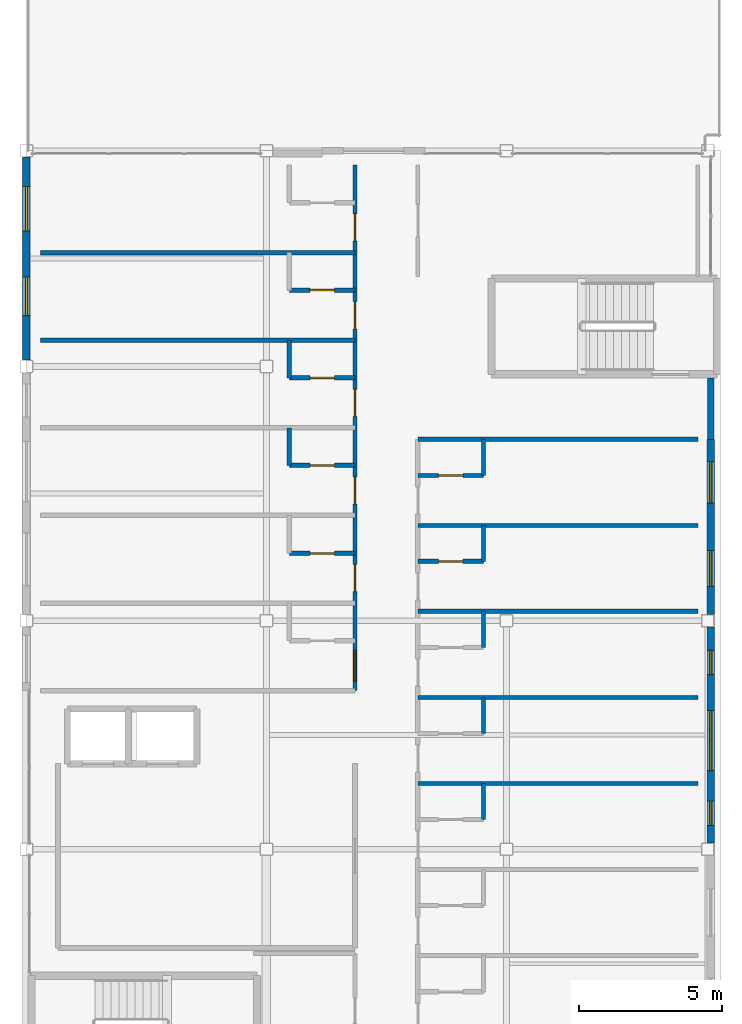
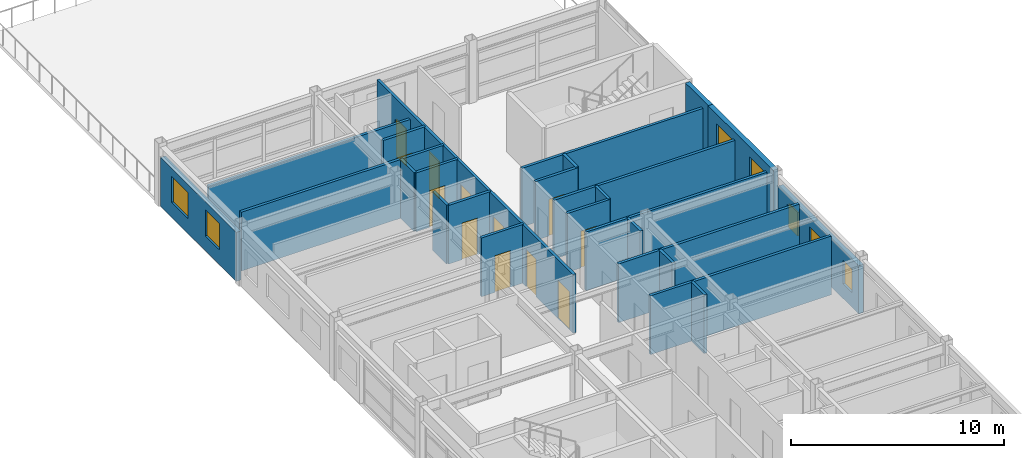
# One storey, part 24 of 28: 25 walls, 12 doors, 7 windows, 19 openings.
"""IFC4 building model written with IfcOpenShell, lengths in metres."""

from ifc_helpers import new_model, si_unit, direction, frame, frame_2d, origin, place, context, subcontext, project, spatial, rectangle, extrude, material, layer, layer_set, type_object, element, fill, save


model = new_model("IFC4")

# Units and contexts
model_context = context("Model", 3, precision=1e-05, world=origin(), true_north=direction((0.0, 1.0)))
body_context = subcontext(model_context, "Body", "Model", "MODEL_VIEW")
ifc_project = project(units=[si_unit("LENGTHUNIT", "METRE"), si_unit("AREAUNIT", "SQUARE_METRE"), si_unit("VOLUMEUNIT", "CUBIC_METRE"), si_unit("PLANEANGLEUNIT", "RADIAN"), si_unit("MASSUNIT", "GRAM", prefix="KILO")], contexts=[model_context])

# Site, building, storey
site_placement = place(None, origin())
site = spatial("IfcSite", under=ifc_project, at=site_placement, CompositionType="ELEMENT")
building_placement = place(site_placement, origin())
building = spatial("IfcBuilding", under=site, at=building_placement, Name="Kazehara Bluff Congress Hotel", CompositionType="ELEMENT")
storey_placement = place(building_placement, frame((0.0, 0.0, 42.60009765625)))
storey = spatial("IfcBuildingStorey", under=building, at=storey_placement, Name="L10", CompositionType="ELEMENT", Elevation=42.60009765625)

# Wall
ifc_material_1 = material(Name="Precast concrete C40/50", Category="concrete")
ifc_layer_1 = layer(ifc_material_1, 0.239990234375)
ifc_layer_set_1 = layer_set([ifc_layer_1], Name="Precast concrete C40/50")
wall_type_1 = type_object("IfcWallType", Name="TP-EW-240", PredefinedType="SOLIDWALL", material=ifc_layer_set_1)
wall_1_placement = place(storey_placement, frame((167.64990234375, 72.93994140625, 0.0), z_axis=(0.0, 0.0, 1.0), x_axis=(0.0, -1.0, 0.0)))
element("IfcWall", 1, at=wall_1_placement, inside=storey, type_object=wall_type_1, Name="L10 V5 perimeter spandrel pier 757", PredefinedType="SOLIDWALL", context=body_context, shape_type="SweptSolid", body=[
    extrude(rectangle(XDim=2.139892578125, YDim=0.239990234375, at=frame_2d((1.06982421875, 0.0))), origin(), (0.0, 0.0, 1.0), 3.364990234375),
])

# Wall, openings, windows
ifc_material_2 = material(Name="Precast concrete C40/50", Category="concrete")
ifc_layer_2 = layer(ifc_material_2, 0.260009765625)
ifc_layer_set_2 = layer_set([ifc_layer_2], Name="Precast concrete C40/50")
wall_type_2 = type_object("IfcWallType", Name="TP-EW-260", PredefinedType="SOLIDWALL", material=ifc_layer_set_2)
wall_2_placement = place(storey_placement, frame((167.64990234375, 64.22509765625, 0.0), z_axis=(0.0, 0.0, 1.0), x_axis=(0.0, -1.0, 0.0)))
wall_2 = element("IfcWall", 2, at=wall_2_placement, inside=storey, type_object=wall_type_2, Name="L10 hotel facade panel 155", PredefinedType="SOLIDWALL", context=body_context, shape_type="SweptSolid", body=[
    extrude(rectangle(XDim=7.550048828125, YDim=0.260009765625, at=frame_2d((3.77490234375, 0.0))), origin(), (0.0, 0.0, 1.0), 2.7548828125),
])
opening_1_placement = place(wall_2_placement, frame((6.0849609375, 0.0, 0.85009765625)))
opening_1 = element("IfcOpeningElement", 3, at=opening_1_placement, cuts=wall_2, Name="Opening WN-55", PredefinedType="OPENING", context=body_context, shape_type="SweptSolid", body=[
    extrude(rectangle(XDim=0.85009765625, YDim=1.35009765625, at=frame_2d((0.425048828125, 0.675048828125))), frame((0.0, 0.139892578125, 0.0), z_axis=(0.0, -1.0, 0.0), x_axis=(1.0, 0.0, 0.0)), (0.0, 0.0, 1.0), 0.280029296875),
])
opening_2_placement = place(wall_2_placement, frame((2.919921875, 0.0, 0.85009765625)))
opening_2 = element("IfcOpeningElement", 4, at=opening_2_placement, cuts=wall_2, Name="Opening WN-46", PredefinedType="OPENING", context=body_context, shape_type="SweptSolid", body=[
    extrude(rectangle(XDim=2.10009765625, YDim=1.35009765625, at=frame_2d((1.050048828125, 0.675048828125))), frame((0.0, 0.139892578125, 0.0), z_axis=(0.0, -1.0, 0.0), x_axis=(1.0, 0.0, 0.0)), (0.0, 0.0, 1.0), 0.280029296875),
])
opening_3_placement = place(wall_2_placement, frame((0.81005859375, 0.0, 0.85009765625)))
opening_3 = element("IfcOpeningElement", 5, at=opening_3_placement, cuts=wall_2, Name="Opening WN-55", PredefinedType="OPENING", context=body_context, shape_type="SweptSolid", body=[
    extrude(rectangle(XDim=0.85009765625, YDim=1.35009765625, at=frame_2d((0.425048828125, 0.675048828125))), frame((0.0, 0.139892578125, 0.0), z_axis=(0.0, -1.0, 0.0), x_axis=(1.0, 0.0, 0.0)), (0.0, 0.0, 1.0), 0.280029296875),
])
ifc_material_3 = material(Name="Insulated low-E double glazing", Category="glass")
window_type_1 = type_object("IfcWindowType", Name="TP-WN-46", PartitioningType="DOUBLE_PANEL_VERTICAL", PredefinedType="WINDOW", material=ifc_material_3)
window_1_placement = place(opening_2_placement, origin())
window_1 = element("IfcWindow", 6, at=window_1_placement, inside=storey, type_object=window_type_1, Name="L10 guestroom window WN-46 307", OverallHeight=1.35009765625, OverallWidth=2.10009765625, PartitioningType="SINGLE_PANEL", PredefinedType="WINDOW", context=body_context, shape_type="SweptSolid", body=[
    extrude(rectangle(XDim=2.10009765625, YDim=1.35009765625, at=frame_2d((1.050048828125, 0.675048828125))), frame((0.0, 0.030029296875, 0.0), z_axis=(0.0, -1.0, 0.0), x_axis=(1.0, 0.0, 0.0)), (0.0, 0.0, 1.0), 0.06005859375),
])
fill(opening_2, window_1)
ifc_material_4 = material(Name="Insulated low-E double glazing", Category="glass")
window_type_2 = type_object("IfcWindowType", Name="TP-WN-55", PartitioningType="SINGLE_PANEL", PredefinedType="WINDOW", material=ifc_material_4)
window_2_placement = place(opening_1_placement, origin())
window_2 = element("IfcWindow", 7, at=window_2_placement, inside=storey, type_object=window_type_2, Name="L10 guestroom window WN-55 306", OverallHeight=1.35009765625, OverallWidth=0.85009765625, PartitioningType="SINGLE_PANEL", PredefinedType="WINDOW", context=body_context, shape_type="SweptSolid", body=[
    extrude(rectangle(XDim=0.85009765625, YDim=1.35009765625, at=frame_2d((0.425048828125, 0.675048828125))), frame((0.0, 0.030029296875, 0.0), z_axis=(0.0, -1.0, 0.0), x_axis=(1.0, 0.0, 0.0)), (0.0, 0.0, 1.0), 0.06005859375),
])
fill(opening_1, window_2)
window_3_placement = place(opening_3_placement, origin())
window_3 = element("IfcWindow", 8, at=window_3_placement, inside=storey, type_object=window_type_2, Name="L10 guestroom window WN-55 308", OverallHeight=1.35009765625, OverallWidth=0.85009765625, PartitioningType="SINGLE_PANEL", PredefinedType="WINDOW", context=body_context, shape_type="SweptSolid", body=[
    extrude(rectangle(XDim=0.85009765625, YDim=1.35009765625, at=frame_2d((0.425048828125, 0.675048828125))), frame((0.0, 0.030029296875, 0.0), z_axis=(0.0, -1.0, 0.0), x_axis=(1.0, 0.0, 0.0)), (0.0, 0.0, 1.0), 0.06005859375),
])
fill(opening_3, window_3)

wall_3_placement = place(storey_placement, frame((167.64990234375, 70.800048828125, 0.0), z_axis=(0.0, 0.0, 1.0), x_axis=(0.0, -1.0, 0.0)))
wall_3 = element("IfcWall", 9, at=wall_3_placement, inside=storey, type_object=wall_type_2, Name="L10 hotel facade panel 156", PredefinedType="SOLIDWALL", context=body_context, shape_type="SweptSolid", body=[
    extrude(rectangle(XDim=6.125, YDim=0.260009765625, at=frame_2d((3.0625, 0.0))), origin(), (0.0, 0.0, 1.0), 3.364990234375),
])
opening_4_placement = place(wall_3_placement, frame((3.89501953125, 0.0, 0.85009765625)))
opening_4 = element("IfcOpeningElement", 10, at=opening_4_placement, cuts=wall_3, Name="Opening WN-10", PredefinedType="OPENING", context=body_context, shape_type="SweptSolid", body=[
    extrude(rectangle(XDim=1.25, YDim=1.949951171875, at=frame_2d((0.625, 0.97509765625))), frame((0.0, 0.139892578125, 0.0), z_axis=(0.0, -1.0, 0.0), x_axis=(1.0, 0.0, 0.0)), (0.0, 0.0, 1.0), 0.280029296875),
])
opening_5_placement = place(wall_3_placement, frame((0.784912109375, 0.0, 0.85009765625)))
opening_5 = element("IfcOpeningElement", 11, at=opening_5_placement, cuts=wall_3, Name="Opening WN-20", PredefinedType="OPENING", context=body_context, shape_type="SweptSolid", body=[
    extrude(rectangle(XDim=1.449951171875, YDim=1.949951171875, at=frame_2d((0.72509765625, 0.97509765625))), frame((0.0, 0.139892578125, 0.0), z_axis=(0.0, -1.0, 0.0), x_axis=(1.0, 0.0, 0.0)), (0.0, 0.0, 1.0), 0.280029296875),
])
ifc_material_5 = material(Name="Insulated low-E double glazing", Category="glass")
window_type_3 = type_object("IfcWindowType", Name="TP-WN-10", PartitioningType="SINGLE_PANEL", PredefinedType="WINDOW", material=ifc_material_5)
window_4_placement = place(opening_4_placement, origin())
window_4 = element("IfcWindow", 12, at=window_4_placement, inside=storey, type_object=window_type_3, Name="L10 guestroom window WN-10 309", OverallHeight=1.949951171875, OverallWidth=1.25, PartitioningType="SINGLE_PANEL", PredefinedType="WINDOW", context=body_context, shape_type="SweptSolid", body=[
    extrude(rectangle(XDim=1.25, YDim=1.949951171875, at=frame_2d((0.625, 0.97509765625))), frame((0.0, 0.030029296875, 0.0), z_axis=(0.0, -1.0, 0.0), x_axis=(1.0, 0.0, 0.0)), (0.0, 0.0, 1.0), 0.06005859375),
])
fill(opening_4, window_4)
ifc_material_6 = material(Name="Insulated low-E double glazing", Category="glass")
window_type_4 = type_object("IfcWindowType", Name="TP-WN-20", PartitioningType="SINGLE_PANEL", PredefinedType="WINDOW", material=ifc_material_6)
window_5_placement = place(opening_5_placement, origin())
window_5 = element("IfcWindow", 13, at=window_5_placement, inside=storey, type_object=window_type_4, Name="L10 guestroom window WN-20 310", OverallHeight=1.949951171875, OverallWidth=1.449951171875, PartitioningType="SINGLE_PANEL", PredefinedType="WINDOW", context=body_context, shape_type="SweptSolid", body=[
    extrude(rectangle(XDim=1.449951171875, YDim=1.949951171875, at=frame_2d((0.72509765625, 0.97509765625))), frame((0.0, 0.030029296875, 0.0), z_axis=(0.0, -1.0, 0.0), x_axis=(1.0, 0.0, 0.0)), (0.0, 0.0, 1.0), 0.06005859375),
])
fill(opening_5, window_5)

wall_4_placement = place(storey_placement, frame((143.699951171875, 73.574951171875, 0.0), z_axis=(0.0, 0.0, 1.0), x_axis=(0.0, 1.0, 0.0)))
wall_4 = element("IfcWall", 14, at=wall_4_placement, inside=storey, type_object=wall_type_2, Name="L10 hotel facade panel 161", PredefinedType="SOLIDWALL", context=body_context, shape_type="SweptSolid", body=[
    extrude(rectangle(XDim=7.10009765625, YDim=0.260009765625, at=frame_2d((3.550048828125, 0.0))), origin(), (0.0, 0.0, 1.0), 2.804931640625),
])
opening_6_placement = place(wall_4_placement, frame((1.550048828125, 0.0, 0.85009765625)))
opening_6 = element("IfcOpeningElement", 15, at=opening_6_placement, cuts=wall_4, Name="Opening WN-12", PredefinedType="OPENING", context=body_context, shape_type="SweptSolid", body=[
    extrude(rectangle(XDim=1.35009765625, YDim=1.5, at=frame_2d((0.675048828125, 0.75))), frame((0.0, 0.139892578125, 0.0), z_axis=(0.0, -1.0, 0.0), x_axis=(1.0, 0.0, 0.0)), (0.0, 0.0, 1.0), 0.280029296875),
])
opening_7_placement = place(wall_4_placement, frame((4.52001953125, 0.0, 0.85009765625)))
opening_7 = element("IfcOpeningElement", 16, at=opening_7_placement, cuts=wall_4, Name="Opening WN-22", PredefinedType="OPENING", context=body_context, shape_type="SweptSolid", body=[
    extrude(rectangle(XDim=1.550048828125, YDim=1.5, at=frame_2d((0.77490234375, 0.75))), frame((0.0, 0.139892578125, 0.0), z_axis=(0.0, -1.0, 0.0), x_axis=(1.0, 0.0, 0.0)), (0.0, 0.0, 1.0), 0.280029296875),
])
ifc_material_7 = material(Name="Insulated low-E double glazing", Category="glass")
window_type_5 = type_object("IfcWindowType", Name="TP-WN-12", PartitioningType="SINGLE_PANEL", PredefinedType="WINDOW", material=ifc_material_7)
window_6_placement = place(opening_6_placement, origin())
window_6 = element("IfcWindow", 17, at=window_6_placement, inside=storey, type_object=window_type_5, Name="L10 guestroom window WN-12 319", OverallHeight=1.5, OverallWidth=1.35009765625, PartitioningType="SINGLE_PANEL", PredefinedType="WINDOW", context=body_context, shape_type="SweptSolid", body=[
    extrude(rectangle(XDim=1.35009765625, YDim=1.5, at=frame_2d((0.675048828125, 0.75))), frame((0.0, 0.030029296875, 0.0), z_axis=(0.0, -1.0, 0.0), x_axis=(1.0, 0.0, 0.0)), (0.0, 0.0, 1.0), 0.06005859375),
])
fill(opening_6, window_6)
ifc_material_8 = material(Name="Insulated low-E double glazing", Category="glass")
window_type_6 = type_object("IfcWindowType", Name="TP-WN-22", PartitioningType="SINGLE_PANEL", PredefinedType="WINDOW", material=ifc_material_8)
window_7_placement = place(opening_7_placement, origin())
window_7 = element("IfcWindow", 18, at=window_7_placement, inside=storey, type_object=window_type_6, Name="L10 guestroom window WN-22 320", OverallHeight=1.5, OverallWidth=1.550048828125, PartitioningType="SINGLE_PANEL", PredefinedType="WINDOW", context=body_context, shape_type="SweptSolid", body=[
    extrude(rectangle(XDim=1.550048828125, YDim=1.5, at=frame_2d((0.77490234375, 0.75))), frame((0.0, 0.030029296875, 0.0), z_axis=(0.0, -1.0, 0.0), x_axis=(1.0, 0.0, 0.0)), (0.0, 0.0, 1.0), 0.06005859375),
])
fill(opening_7, window_7)

# Walls
ifc_material_9 = material(Name="Fire-rated gypsum board stud partition")
ifc_layer_3 = layer(ifc_material_9, 0.14990234375)
ifc_layer_set_3 = layer_set([ifc_layer_3], Name="Fire-rated gypsum board stud partition")
wall_type_3 = type_object("IfcWallType", Name="TP-PT-150", PredefinedType="PARTITIONING", material=ifc_layer_set_3)
for number, where, z_axis, x_axis, name in (
    (19, (157.39990234375, 58.75, 0.0), (0.0, 0.0, 1.0), (1.0, 0.0, 0.0), "L10 partition PT-150 1357"),
    (20, (157.39990234375, 61.760009765625, 0.0), (0.0, 0.0, 1.0), (1.0, 0.0, 0.0), "L10 partition PT-150 1359"),
    (21, (157.39990234375, 64.780029296875, 0.0), (0.0, 0.0, 1.0), (1.0, 0.0, 0.0), "L10 partition PT-150 1363"),
):
    element("IfcWall", number, at=place(storey_placement, frame(where, z_axis=z_axis, x_axis=x_axis)), inside=storey, type_object=wall_type_3, Name=name, PredefinedType="PARTITIONING", context=body_context, shape_type="SweptSolid", body=[
        extrude(rectangle(XDim=9.800048828125, YDim=0.14990234375, at=frame_2d((4.89990234375, 0.0))), origin(), (0.0, 0.0, 1.0), 3.364990234375),
    ])

# Wall, opening, door
wall_5_placement = place(storey_placement, frame((157.39990234375, 66.530029296875, 0.0), z_axis=(0.0, 0.0, 1.0), x_axis=(1.0, 0.0, 0.0)))
wall_5 = element("IfcWall", 22, at=wall_5_placement, inside=storey, type_object=wall_type_3, Name="L10 partition PT-150 1365", PredefinedType="PARTITIONING", context=body_context, shape_type="SweptSolid", body=[
    extrude(rectangle(XDim=2.300048828125, YDim=0.14990234375, at=frame_2d((1.14990234375, 0.0))), origin(), (0.0, 0.0, 1.0), 3.364990234375),
])
opening_8_placement = place(wall_5_placement, frame((0.72509765625, 0.0, 0.0)))
opening_8 = element("IfcOpeningElement", 23, at=opening_8_placement, cuts=wall_5, Name="Opening BD-01", PredefinedType="OPENING", context=body_context, shape_type="SweptSolid", body=[
    extrude(rectangle(XDim=0.85009765625, YDim=2.10009765625, at=frame_2d((0.425048828125, 1.050048828125))), frame((0.0, 0.0849609375, 0.0), z_axis=(0.0, -1.0, 0.0), x_axis=(1.0, 0.0, 0.0)), (0.0, 0.0, 1.0), 0.169921875),
])
ifc_material_10 = material(Name="Architectural oak veneer leaf")
door_type_1 = type_object("IfcDoorType", Name="TP-BD-01", OperationType="NOTDEFINED", PredefinedType="DOOR", material=ifc_material_10)
door_1_placement = place(opening_8_placement, origin())
door_1 = element("IfcDoor", 24, at=door_1_placement, inside=storey, type_object=door_type_1, Name="L10 En-suite Bathroom 319 door", OperationType="SINGLE_SWING_RIGHT", OverallHeight=2.10009765625, OverallWidth=0.85009765625, PredefinedType="DOOR", context=body_context, shape_type="SweptSolid", body=[
    extrude(rectangle(XDim=0.85009765625, YDim=2.10009765625, at=frame_2d((0.425048828125, 1.050048828125))), frame((0.0, 0.02490234375, 0.0), z_axis=(0.0, -1.0, 0.0), x_axis=(1.0, 0.0, 0.0)), (0.0, 0.0, 1.0), 0.050048828125),
])
fill(opening_8, door_1)

wall_6_placement = place(storey_placement, frame((152.89990234375, 66.81005859375, 0.0), z_axis=(0.0, 0.0, 1.0), x_axis=(1.0, 0.0, 0.0)))
wall_6 = element("IfcWall", 25, at=wall_6_placement, inside=storey, type_object=wall_type_3, Name="L10 partition PT-150 1366", PredefinedType="PARTITIONING", context=body_context, shape_type="SweptSolid", body=[
    extrude(rectangle(XDim=2.300048828125, YDim=0.14990234375, at=frame_2d((1.14990234375, 0.0))), origin(), (0.0, 0.0, 1.0), 3.364990234375),
])
opening_9_placement = place(wall_6_placement, frame((0.72509765625, 0.0, 0.0)))
opening_9 = element("IfcOpeningElement", 26, at=opening_9_placement, cuts=wall_6, Name="Opening BD-01", PredefinedType="OPENING", context=body_context, shape_type="SweptSolid", body=[
    extrude(rectangle(XDim=0.85009765625, YDim=2.10009765625, at=frame_2d((0.425048828125, 1.050048828125))), frame((0.0, 0.0849609375, 0.0), z_axis=(0.0, -1.0, 0.0), x_axis=(1.0, 0.0, 0.0)), (0.0, 0.0, 1.0), 0.169921875),
])
door_2_placement = place(opening_9_placement, origin())
door_2 = element("IfcDoor", 27, at=door_2_placement, inside=storey, type_object=door_type_1, Name="L10 En-suite Bathroom 300 door", OperationType="SINGLE_SWING_RIGHT", OverallHeight=2.10009765625, OverallWidth=0.85009765625, PredefinedType="DOOR", context=body_context, shape_type="SweptSolid", body=[
    extrude(rectangle(XDim=0.85009765625, YDim=2.10009765625, at=frame_2d((0.425048828125, 1.050048828125))), frame((0.0, 0.02490234375, 0.0), z_axis=(0.0, -1.0, 0.0), x_axis=(1.0, 0.0, 0.0)), (0.0, 0.0, 1.0), 0.050048828125),
])
fill(opening_9, door_2)

# Wall
wall_7_placement = place(storey_placement, frame((157.39990234375, 67.780029296875, 0.0), z_axis=(0.0, 0.0, 1.0), x_axis=(1.0, 0.0, 0.0)))
element("IfcWall", 28, at=wall_7_placement, inside=storey, type_object=wall_type_3, Name="L10 partition PT-150 1367", PredefinedType="PARTITIONING", context=body_context, shape_type="SweptSolid", body=[
    extrude(rectangle(XDim=9.800048828125, YDim=0.14990234375, at=frame_2d((4.89990234375, 0.0))), origin(), (0.0, 0.0, 1.0), 3.364990234375),
])

# Wall, opening, door
wall_8_placement = place(storey_placement, frame((157.39990234375, 69.530029296875, 0.0), z_axis=(0.0, 0.0, 1.0), x_axis=(1.0, 0.0, 0.0)))
wall_8 = element("IfcWall", 29, at=wall_8_placement, inside=storey, type_object=wall_type_3, Name="L10 partition PT-150 1369", PredefinedType="PARTITIONING", context=body_context, shape_type="SweptSolid", body=[
    extrude(rectangle(XDim=2.300048828125, YDim=0.14990234375, at=frame_2d((1.14990234375, 0.0))), origin(), (0.0, 0.0, 1.0), 3.364990234375),
])
opening_10_placement = place(wall_8_placement, frame((0.72509765625, 0.0, 0.0)))
opening_10 = element("IfcOpeningElement", 30, at=opening_10_placement, cuts=wall_8, Name="Opening BD-01", PredefinedType="OPENING", context=body_context, shape_type="SweptSolid", body=[
    extrude(rectangle(XDim=0.85009765625, YDim=2.10009765625, at=frame_2d((0.425048828125, 1.050048828125))), frame((0.0, 0.0849609375, 0.0), z_axis=(0.0, -1.0, 0.0), x_axis=(1.0, 0.0, 0.0)), (0.0, 0.0, 1.0), 0.169921875),
])
door_3_placement = place(opening_10_placement, origin())
door_3 = element("IfcDoor", 31, at=door_3_placement, inside=storey, type_object=door_type_1, Name="L10 En-suite Bathroom 320 door", OperationType="SINGLE_SWING_RIGHT", OverallHeight=2.10009765625, OverallWidth=0.85009765625, PredefinedType="DOOR", context=body_context, shape_type="SweptSolid", body=[
    extrude(rectangle(XDim=0.85009765625, YDim=2.10009765625, at=frame_2d((0.425048828125, 1.050048828125))), frame((0.0, 0.02490234375, 0.0), z_axis=(0.0, -1.0, 0.0), x_axis=(1.0, 0.0, 0.0)), (0.0, 0.0, 1.0), 0.050048828125),
])
fill(opening_10, door_3)

wall_9_placement = place(storey_placement, frame((152.89990234375, 69.889892578125, 0.0), z_axis=(0.0, 0.0, 1.0), x_axis=(1.0, 0.0, 0.0)))
wall_9 = element("IfcWall", 32, at=wall_9_placement, inside=storey, type_object=wall_type_3, Name="L10 partition PT-150 1370", PredefinedType="PARTITIONING", context=body_context, shape_type="SweptSolid", body=[
    extrude(rectangle(XDim=2.300048828125, YDim=0.14990234375, at=frame_2d((1.14990234375, 0.0))), origin(), (0.0, 0.0, 1.0), 3.364990234375),
])
opening_11_placement = place(wall_9_placement, frame((0.72509765625, 0.0, 0.0)))
opening_11 = element("IfcOpeningElement", 33, at=opening_11_placement, cuts=wall_9, Name="Opening BD-01", PredefinedType="OPENING", context=body_context, shape_type="SweptSolid", body=[
    extrude(rectangle(XDim=0.85009765625, YDim=2.10009765625, at=frame_2d((0.425048828125, 1.050048828125))), frame((0.0, 0.0849609375, 0.0), z_axis=(0.0, -1.0, 0.0), x_axis=(1.0, 0.0, 0.0)), (0.0, 0.0, 1.0), 0.169921875),
])
door_4_placement = place(opening_11_placement, origin())
door_4 = element("IfcDoor", 34, at=door_4_placement, inside=storey, type_object=door_type_1, Name="L10 En-suite Bathroom 301 door", OperationType="SINGLE_SWING_RIGHT", OverallHeight=2.10009765625, OverallWidth=0.85009765625, PredefinedType="DOOR", context=body_context, shape_type="SweptSolid", body=[
    extrude(rectangle(XDim=0.85009765625, YDim=2.10009765625, at=frame_2d((0.425048828125, 1.050048828125))), frame((0.0, 0.02490234375, 0.0), z_axis=(0.0, -1.0, 0.0), x_axis=(1.0, 0.0, 0.0)), (0.0, 0.0, 1.0), 0.050048828125),
])
fill(opening_11, door_4)

# Wall
wall_10_placement = place(storey_placement, frame((157.39990234375, 70.800048828125, 0.0), z_axis=(0.0, 0.0, 1.0), x_axis=(1.0, 0.0, 0.0)))
element("IfcWall", 35, at=wall_10_placement, inside=storey, type_object=wall_type_3, Name="L10 partition PT-150 1371", PredefinedType="PARTITIONING", context=body_context, shape_type="SweptSolid", body=[
    extrude(rectangle(XDim=9.800048828125, YDim=0.14990234375, at=frame_2d((4.89990234375, 0.0))), origin(), (0.0, 0.0, 1.0), 3.364990234375),
])

# Wall, opening, door
wall_11_placement = place(storey_placement, frame((152.89990234375, 72.949951171875, 0.0), z_axis=(0.0, 0.0, 1.0), x_axis=(1.0, 0.0, 0.0)))
wall_11 = element("IfcWall", 36, at=wall_11_placement, inside=storey, type_object=wall_type_3, Name="L10 partition PT-150 1373", PredefinedType="PARTITIONING", context=body_context, shape_type="SweptSolid", body=[
    extrude(rectangle(XDim=2.300048828125, YDim=0.14990234375, at=frame_2d((1.14990234375, 0.0))), origin(), (0.0, 0.0, 1.0), 3.364990234375),
])
opening_12_placement = place(wall_11_placement, frame((0.72509765625, 0.0, 0.0)))
opening_12 = element("IfcOpeningElement", 37, at=opening_12_placement, cuts=wall_11, Name="Opening BD-01", PredefinedType="OPENING", context=body_context, shape_type="SweptSolid", body=[
    extrude(rectangle(XDim=0.85009765625, YDim=2.10009765625, at=frame_2d((0.425048828125, 1.050048828125))), frame((0.0, 0.0849609375, 0.0), z_axis=(0.0, -1.0, 0.0), x_axis=(1.0, 0.0, 0.0)), (0.0, 0.0, 1.0), 0.169921875),
])
door_5_placement = place(opening_12_placement, origin())
door_5 = element("IfcDoor", 38, at=door_5_placement, inside=storey, type_object=door_type_1, Name="L10 En-suite Bathroom 302 door", OperationType="SINGLE_SWING_RIGHT", OverallHeight=2.10009765625, OverallWidth=0.85009765625, PredefinedType="DOOR", context=body_context, shape_type="SweptSolid", body=[
    extrude(rectangle(XDim=0.85009765625, YDim=2.10009765625, at=frame_2d((0.425048828125, 1.050048828125))), frame((0.0, 0.02490234375, 0.0), z_axis=(0.0, -1.0, 0.0), x_axis=(1.0, 0.0, 0.0)), (0.0, 0.0, 1.0), 0.050048828125),
])
fill(opening_12, door_5)

# Wall
wall_12_placement = place(storey_placement, frame((144.199951171875, 74.27001953125, 0.0), z_axis=(0.0, 0.0, 1.0), x_axis=(1.0, 0.0, 0.0)))
element("IfcWall", 39, at=wall_12_placement, inside=storey, type_object=wall_type_3, Name="L10 partition PT-150 1374", PredefinedType="PARTITIONING", context=body_context, shape_type="SweptSolid", body=[
    extrude(rectangle(XDim=11.0, YDim=0.14990234375, at=frame_2d((5.5, 0.0))), origin(), (0.0, 0.0, 1.0), 3.364990234375),
])

# Wall, opening, door
wall_13_placement = place(storey_placement, frame((152.89990234375, 76.02001953125, 0.0), z_axis=(0.0, 0.0, 1.0), x_axis=(1.0, 0.0, 0.0)))
wall_13 = element("IfcWall", 40, at=wall_13_placement, inside=storey, type_object=wall_type_3, Name="L10 partition PT-150 1375", PredefinedType="PARTITIONING", context=body_context, shape_type="SweptSolid", body=[
    extrude(rectangle(XDim=2.300048828125, YDim=0.14990234375, at=frame_2d((1.14990234375, 0.0))), origin(), (0.0, 0.0, 1.0), 3.364990234375),
])
opening_13_placement = place(wall_13_placement, frame((0.72509765625, 0.0, 0.0)))
opening_13 = element("IfcOpeningElement", 41, at=opening_13_placement, cuts=wall_13, Name="Opening BD-01", PredefinedType="OPENING", context=body_context, shape_type="SweptSolid", body=[
    extrude(rectangle(XDim=0.85009765625, YDim=2.10009765625, at=frame_2d((0.425048828125, 1.050048828125))), frame((0.0, 0.0849609375, 0.0), z_axis=(0.0, -1.0, 0.0), x_axis=(1.0, 0.0, 0.0)), (0.0, 0.0, 1.0), 0.169921875),
])
door_6_placement = place(opening_13_placement, origin())
door_6 = element("IfcDoor", 42, at=door_6_placement, inside=storey, type_object=door_type_1, Name="L10 En-suite Bathroom 303 door", OperationType="SINGLE_SWING_RIGHT", OverallHeight=2.10009765625, OverallWidth=0.85009765625, PredefinedType="DOOR", context=body_context, shape_type="SweptSolid", body=[
    extrude(rectangle(XDim=0.85009765625, YDim=2.10009765625, at=frame_2d((0.425048828125, 1.050048828125))), frame((0.0, 0.02490234375, 0.0), z_axis=(0.0, -1.0, 0.0), x_axis=(1.0, 0.0, 0.0)), (0.0, 0.0, 1.0), 0.050048828125),
])
fill(opening_13, door_6)

# Walls
wall_14_placement = place(storey_placement, frame((144.199951171875, 77.330078125, 0.0), z_axis=(0.0, 0.0, 1.0), x_axis=(1.0, 0.0, 0.0)))
element("IfcWall", 43, at=wall_14_placement, inside=storey, type_object=wall_type_3, Name="L10 partition PT-150 1376", PredefinedType="PARTITIONING", context=body_context, shape_type="SweptSolid", body=[
    extrude(rectangle(XDim=11.0, YDim=0.14990234375, at=frame_2d((5.5, 0.0))), origin(), (0.0, 0.0, 1.0), 3.0048828125),
])
for number, where, z_axis, x_axis, name in (
    (44, (152.89990234375, 69.885009765625, 0.0), (0.0, 0.0, 1.0), (0.0, 1.0, 0.0), "L10 partition PT-150 1386"),
    (45, (152.89990234375, 72.949951171875, 0.0), (0.0, 0.0, 1.0), (0.0, 1.0, 0.0), "L10 partition PT-150 1387"),
):
    element("IfcWall", number, at=place(storey_placement, frame(where, z_axis=z_axis, x_axis=x_axis)), inside=storey, type_object=wall_type_3, Name=name, PredefinedType="PARTITIONING", context=body_context, shape_type="SweptSolid", body=[
        extrude(rectangle(XDim=1.31494140625, YDim=0.14990234375, at=frame_2d((0.657470703125, 0.0))), origin(), (0.0, 0.0, 1.0), 3.364990234375),
    ])

# Wall, openings, doors
wall_15_placement = place(storey_placement, frame((155.199951171875, 62.0, 0.0), z_axis=(0.0, 0.0, 1.0), x_axis=(0.0, 1.0, 0.0)))
wall_15 = element("IfcWall", 46, at=wall_15_placement, inside=storey, type_object=wall_type_3, Name="L10 partition PT-150 1396", PredefinedType="PARTITIONING", context=body_context, shape_type="SweptSolid", body=[
    extrude(rectangle(XDim=18.39990234375, YDim=0.14990234375, at=frame_2d((9.199951171875, 0.0))), origin(), (0.0, 0.0, 1.0), 3.364990234375),
])
opening_14_placement = place(wall_15_placement, frame((0.324951171875, 0.0, 0.0)))
opening_14 = element("IfcOpeningElement", 47, at=opening_14_placement, cuts=wall_15, Name="Opening GD-02", PredefinedType="OPENING", context=body_context, shape_type="SweptSolid", body=[
    extrude(rectangle(XDim=1.10009765625, YDim=2.199951171875, at=frame_2d((0.550048828125, 1.10009765625))), frame((0.0, 0.0849609375, 0.0), z_axis=(0.0, -1.0, 0.0), x_axis=(1.0, 0.0, 0.0)), (0.0, 0.0, 1.0), 0.169921875),
])
opening_15_placement = place(wall_15_placement, frame((3.465087890625, 0.0, 0.0)))
opening_15 = element("IfcOpeningElement", 48, at=opening_15_placement, cuts=wall_15, Name="Opening GD-01", PredefinedType="OPENING", context=body_context, shape_type="SweptSolid", body=[
    extrude(rectangle(XDim=0.949951171875, YDim=2.14990234375, at=frame_2d((0.47509765625, 1.074951171875))), frame((0.0, 0.0849609375, 0.0), z_axis=(0.0, -1.0, 0.0), x_axis=(1.0, 0.0, 0.0)), (0.0, 0.0, 1.0), 0.169921875),
])
opening_16_placement = place(wall_15_placement, frame((6.534912109375, 0.0, 0.0)))
opening_16 = element("IfcOpeningElement", 49, at=opening_16_placement, cuts=wall_15, Name="Opening GD-01", PredefinedType="OPENING", context=body_context, shape_type="SweptSolid", body=[
    extrude(rectangle(XDim=0.949951171875, YDim=2.14990234375, at=frame_2d((0.47509765625, 1.074951171875))), frame((0.0, 0.0849609375, 0.0), z_axis=(0.0, -1.0, 0.0), x_axis=(1.0, 0.0, 0.0)), (0.0, 0.0, 1.0), 0.169921875),
])
opening_17_placement = place(wall_15_placement, frame((9.60009765625, 0.0, 0.0)))
opening_17 = element("IfcOpeningElement", 50, at=opening_17_placement, cuts=wall_15, Name="Opening GD-01", PredefinedType="OPENING", context=body_context, shape_type="SweptSolid", body=[
    extrude(rectangle(XDim=0.949951171875, YDim=2.14990234375, at=frame_2d((0.47509765625, 1.074951171875))), frame((0.0, 0.0849609375, 0.0), z_axis=(0.0, -1.0, 0.0), x_axis=(1.0, 0.0, 0.0)), (0.0, 0.0, 1.0), 0.169921875),
])
opening_18_placement = place(wall_15_placement, frame((12.6650390625, 0.0, 0.0)))
opening_18 = element("IfcOpeningElement", 51, at=opening_18_placement, cuts=wall_15, Name="Opening GD-01", PredefinedType="OPENING", context=body_context, shape_type="SweptSolid", body=[
    extrude(rectangle(XDim=0.949951171875, YDim=2.14990234375, at=frame_2d((0.47509765625, 1.074951171875))), frame((0.0, 0.0849609375, 0.0), z_axis=(0.0, -1.0, 0.0), x_axis=(1.0, 0.0, 0.0)), (0.0, 0.0, 1.0), 0.169921875),
])
opening_19_placement = place(wall_15_placement, frame((15.735107421875, 0.0, 0.0)))
opening_19 = element("IfcOpeningElement", 52, at=opening_19_placement, cuts=wall_15, Name="Opening GD-01", PredefinedType="OPENING", context=body_context, shape_type="SweptSolid", body=[
    extrude(rectangle(XDim=0.949951171875, YDim=2.14990234375, at=frame_2d((0.47509765625, 1.074951171875))), frame((0.0, 0.0849609375, 0.0), z_axis=(0.0, -1.0, 0.0), x_axis=(1.0, 0.0, 0.0)), (0.0, 0.0, 1.0), 0.169921875),
])
ifc_material_11 = material(Name="Architectural oak veneer leaf")
door_type_2 = type_object("IfcDoorType", Name="TP-GD-01", OperationType="NOTDEFINED", PredefinedType="DOOR", material=ifc_material_11)
door_7_placement = place(opening_15_placement, origin())
door_7 = element("IfcDoor", 53, at=door_7_placement, inside=storey, type_object=door_type_2, Name="L10 Deluxe Twin Guest Room 300 door", OperationType="SINGLE_SWING_LEFT", OverallHeight=2.14990234375, OverallWidth=0.949951171875, PredefinedType="DOOR", context=body_context, shape_type="SweptSolid", body=[
    extrude(rectangle(XDim=0.949951171875, YDim=2.14990234375, at=frame_2d((0.47509765625, 1.074951171875))), frame((0.0, 0.02490234375, 0.0), z_axis=(0.0, -1.0, 0.0), x_axis=(1.0, 0.0, 0.0)), (0.0, 0.0, 1.0), 0.050048828125),
])
fill(opening_15, door_7)
door_8_placement = place(opening_16_placement, origin())
door_8 = element("IfcDoor", 54, at=door_8_placement, inside=storey, type_object=door_type_2, Name="L10 Standard King Guest Room 301 door", OperationType="SINGLE_SWING_LEFT", OverallHeight=2.14990234375, OverallWidth=0.949951171875, PredefinedType="DOOR", context=body_context, shape_type="SweptSolid", body=[
    extrude(rectangle(XDim=0.949951171875, YDim=2.14990234375, at=frame_2d((0.47509765625, 1.074951171875))), frame((0.0, 0.02490234375, 0.0), z_axis=(0.0, -1.0, 0.0), x_axis=(1.0, 0.0, 0.0)), (0.0, 0.0, 1.0), 0.050048828125),
])
fill(opening_16, door_8)
door_9_placement = place(opening_17_placement, origin())
door_9 = element("IfcDoor", 55, at=door_9_placement, inside=storey, type_object=door_type_2, Name="L10 Deluxe Twin Guest Room 302 door", OperationType="SINGLE_SWING_LEFT", OverallHeight=2.14990234375, OverallWidth=0.949951171875, PredefinedType="DOOR", context=body_context, shape_type="SweptSolid", body=[
    extrude(rectangle(XDim=0.949951171875, YDim=2.14990234375, at=frame_2d((0.47509765625, 1.074951171875))), frame((0.0, 0.02490234375, 0.0), z_axis=(0.0, -1.0, 0.0), x_axis=(1.0, 0.0, 0.0)), (0.0, 0.0, 1.0), 0.050048828125),
])
fill(opening_17, door_9)
door_10_placement = place(opening_18_placement, origin())
door_10 = element("IfcDoor", 56, at=door_10_placement, inside=storey, type_object=door_type_2, Name="L10 Standard King Guest Room 303 door", OperationType="SINGLE_SWING_LEFT", OverallHeight=2.14990234375, OverallWidth=0.949951171875, PredefinedType="DOOR", context=body_context, shape_type="SweptSolid", body=[
    extrude(rectangle(XDim=0.949951171875, YDim=2.14990234375, at=frame_2d((0.47509765625, 1.074951171875))), frame((0.0, 0.02490234375, 0.0), z_axis=(0.0, -1.0, 0.0), x_axis=(1.0, 0.0, 0.0)), (0.0, 0.0, 1.0), 0.050048828125),
])
fill(opening_18, door_10)
door_11_placement = place(opening_19_placement, origin())
door_11 = element("IfcDoor", 57, at=door_11_placement, inside=storey, type_object=door_type_2, Name="L10 Deluxe Twin Guest Room 304 door", OperationType="SINGLE_SWING_LEFT", OverallHeight=2.14990234375, OverallWidth=0.949951171875, PredefinedType="DOOR", context=body_context, shape_type="SweptSolid", body=[
    extrude(rectangle(XDim=0.949951171875, YDim=2.14990234375, at=frame_2d((0.47509765625, 1.074951171875))), frame((0.0, 0.02490234375, 0.0), z_axis=(0.0, -1.0, 0.0), x_axis=(1.0, 0.0, 0.0)), (0.0, 0.0, 1.0), 0.050048828125),
])
fill(opening_19, door_11)
ifc_material_12 = material(Name="Architectural oak veneer leaf")
door_type_3 = type_object("IfcDoorType", Name="TP-GD-02", OperationType="NOTDEFINED", PredefinedType="DOOR", material=ifc_material_12)
door_12_placement = place(opening_14_placement, origin())
door_12 = element("IfcDoor", 58, at=door_12_placement, inside=storey, type_object=door_type_3, Name="L10 Executive Suite 299 door", OperationType="SINGLE_SWING_LEFT", OverallHeight=2.199951171875, OverallWidth=1.10009765625, PredefinedType="DOOR", context=body_context, shape_type="SweptSolid", body=[
    extrude(rectangle(XDim=1.10009765625, YDim=2.199951171875, at=frame_2d((0.550048828125, 1.10009765625))), frame((0.0, 0.02490234375, 0.0), z_axis=(0.0, -1.0, 0.0), x_axis=(1.0, 0.0, 0.0)), (0.0, 0.0, 1.0), 0.050048828125),
])
fill(opening_14, door_12)

# Walls
for number, where, z_axis, x_axis, name in (
    (59, (159.699951171875, 57.489990234375, 0.0), (0.0, 0.0, 1.0), (0.0, 1.0, 0.0), "L10 partition PT-150 1410"),
    (60, (159.699951171875, 60.5, 0.0), (0.0, 0.0, 1.0), (0.0, 1.0, 0.0), "L10 partition PT-150 1411"),
):
    element("IfcWall", number, at=place(storey_placement, frame(where, z_axis=z_axis, x_axis=x_axis)), inside=storey, type_object=wall_type_3, Name=name, PredefinedType="PARTITIONING", context=body_context, shape_type="SweptSolid", body=[
        extrude(rectangle(XDim=1.260009765625, YDim=0.14990234375, at=frame_2d((0.6298828125, 0.0))), origin(), (0.0, 0.0, 1.0), 3.364990234375),
    ])
wall_16_placement = place(storey_placement, frame((159.699951171875, 63.510009765625, 0.0), z_axis=(0.0, 0.0, 1.0), x_axis=(0.0, 1.0, 0.0)))
element("IfcWall", 61, at=wall_16_placement, inside=storey, type_object=wall_type_3, Name="L10 partition PT-150 1412", PredefinedType="PARTITIONING", context=body_context, shape_type="SweptSolid", body=[
    extrude(rectangle(XDim=1.264892578125, YDim=0.14990234375, at=frame_2d((0.63232421875, 0.0))), origin(), (0.0, 0.0, 1.0), 3.364990234375),
])
wall_17_placement = place(storey_placement, frame((159.699951171875, 66.52490234375, 0.0), z_axis=(0.0, 0.0, 1.0), x_axis=(0.0, 1.0, 0.0)))
element("IfcWall", 62, at=wall_17_placement, inside=storey, type_object=wall_type_3, Name="L10 partition PT-150 1413", PredefinedType="PARTITIONING", context=body_context, shape_type="SweptSolid", body=[
    extrude(rectangle(XDim=1.260009765625, YDim=0.14990234375, at=frame_2d((0.6298828125, 0.0))), origin(), (0.0, 0.0, 1.0), 3.364990234375),
])
wall_18_placement = place(storey_placement, frame((159.699951171875, 69.534912109375, 0.0), z_axis=(0.0, 0.0, 1.0), x_axis=(0.0, 1.0, 0.0)))
element("IfcWall", 63, at=wall_18_placement, inside=storey, type_object=wall_type_3, Name="L10 partition PT-150 1414", PredefinedType="PARTITIONING", context=body_context, shape_type="SweptSolid", body=[
    extrude(rectangle(XDim=1.26513671875, YDim=0.14990234375, at=frame_2d((0.632568359375, 0.0))), origin(), (0.0, 0.0, 1.0), 3.364990234375),
])

save(model, "model.ifc")
